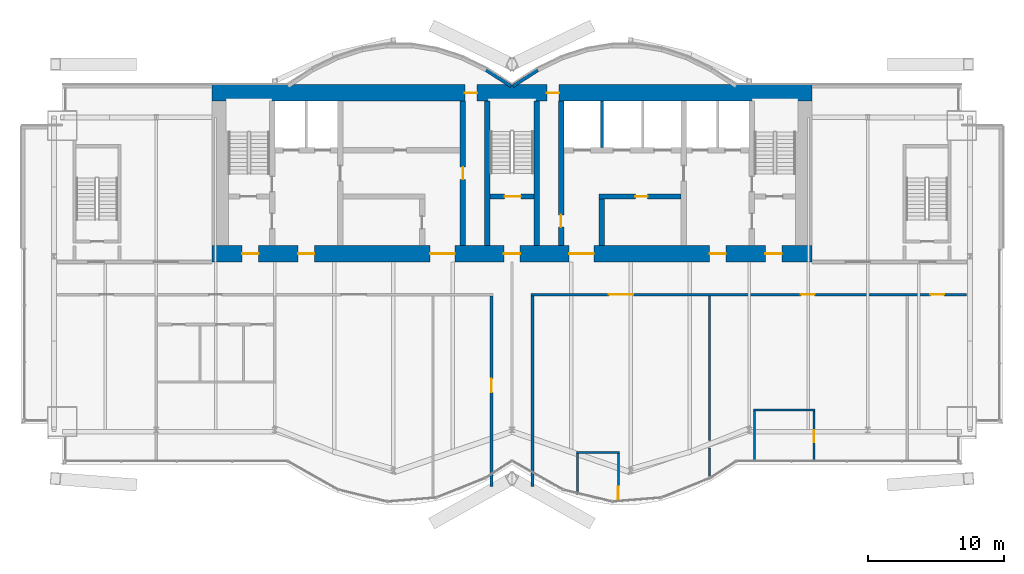
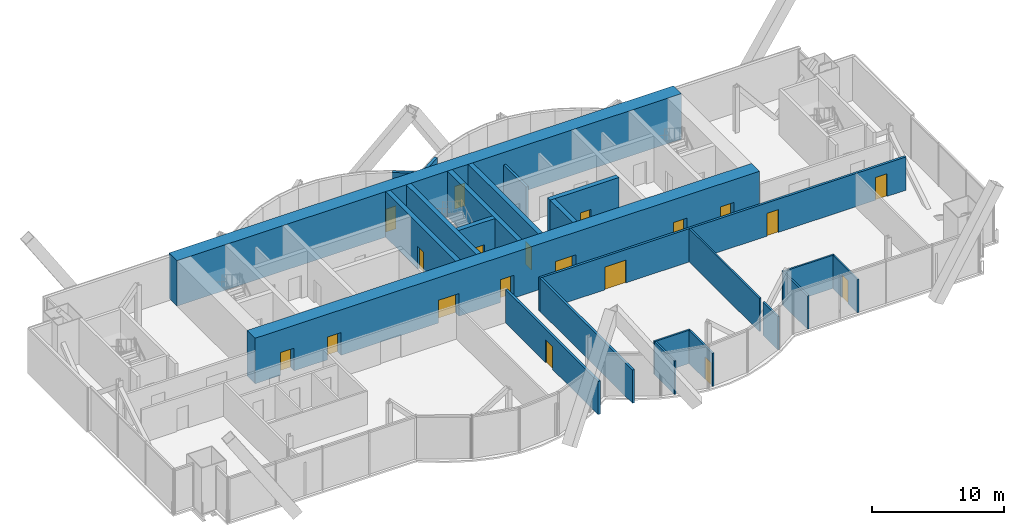
# One storey, part 14 of 19: 23 walls, 19 doors, 19 openings.
"""IFC4 building model written with IfcOpenShell, lengths in metres."""

import ifcopenshell
import ifcopenshell.guid

model = None  # the IFC model being written
_history = None  # IfcOwnerHistory: only IFC2X3 demands one
_inside = {}  # id of a spatial element -> (the spatial element, [elements in it])
_under = {}  # id of a project, library or spatial element -> (it, [spatial elements below it])
_declared = {}  # id of a project -> (the project, [libraries it declares])
_typed = {}  # id of a type object -> (the type object, [elements of that type])
_made_of = {}  # id of a material, layer set ... -> (it, [elements and type objects made of it])


def new_model(schema):
    """Start an empty IFC model of exactly this schema.

    Asked for "IFC4X3", IfcOpenShell would pick the latest addendum, in which some entities
    have other attributes; the version numbers below select the first issue.
    IFC2X3 requires an IfcOwnerHistory on every rooted entity: one is made here for all.
    """
    global model, _history
    if schema == "IFC4X3":
        model = ifcopenshell.file(schema_version=(4, 3, 0, 0))
    else:
        model = ifcopenshell.file(schema=schema)
    _inside.clear()
    _under.clear()
    _declared.clear()
    _typed.clear()
    _made_of.clear()
    _history = None
    if model.schema == "IFC2X3":
        org = make("IfcOrganization", Name="unknown")
        user = make(
            "IfcPersonAndOrganization",
            ThePerson=make("IfcPerson", FamilyName="unknown"),
            TheOrganization=org,
        )
        app = make(
            "IfcApplication",
            ApplicationDeveloper=org,
            Version="unknown",
            ApplicationFullName="unknown",
            ApplicationIdentifier="unknown",
        )
        _history = make(
            "IfcOwnerHistory",
            OwningUser=user,
            OwningApplication=app,
            ChangeAction="ADDED",
            CreationDate=0,
        )
    return model


def make(cls, **values):
    """One entity of the class cls with the attributes given. An attribute that is None is left unset."""
    return model.create_entity(
        cls, **{name: value for name, value in values.items() if value is not None}
    )


def rooted(cls, **values):
    """An entity with a GlobalId (a new one), such as an element, a storey or a relation."""
    return make(cls, GlobalId=ifcopenshell.guid.new(), OwnerHistory=_history, **values)


def si_unit(unit_type, name, prefix=None):
    """IfcSIUnit, for example si_unit("LENGTHUNIT", "METRE", prefix="MILLI")."""
    return make("IfcSIUnit", UnitType=unit_type, Prefix=prefix, Name=name)


def assignment(units):
    """IfcUnitAssignment: the units of a project."""
    return None if units is None else make("IfcUnitAssignment", Units=units)


def point(xyz):
    """IfcCartesianPoint."""
    return None if xyz is None else make("IfcCartesianPoint", Coordinates=xyz)


def direction(xyz):
    """IfcDirection."""
    return None if xyz is None else make("IfcDirection", DirectionRatios=xyz)


def frame(location, z_axis=None, x_axis=None):
    """IfcAxis2Placement3D, a coordinate frame: its origin and axes. An axis left out is left unset."""
    return make(
        "IfcAxis2Placement3D",
        Location=point(location),
        Axis=direction(z_axis),
        RefDirection=direction(x_axis),
    )


def frame_2d(location, x_axis=None):
    """IfcAxis2Placement2D, a coordinate frame in the plane: its origin and x axis."""
    return make(
        "IfcAxis2Placement2D", Location=point(location), RefDirection=direction(x_axis)
    )


def origin():
    """The frame at (0, 0, 0) with its axes left unset."""
    return frame((0.0, 0.0, 0.0))


def place(relative_to, where):
    """IfcLocalPlacement: puts the frame where relative to a parent placement (None: the world)."""
    return make(
        "IfcLocalPlacement", PlacementRelTo=relative_to, RelativePlacement=where
    )


def context(
    kind, dimensions, precision=None, world=None, true_north=None, identifier=None
):
    """IfcGeometricRepresentationContext, for example the 3D "Model" context."""
    return make(
        "IfcGeometricRepresentationContext",
        ContextIdentifier=identifier,
        ContextType=kind,
        CoordinateSpaceDimension=dimensions,
        Precision=precision,
        WorldCoordinateSystem=world,
        TrueNorth=true_north,
    )


def subcontext(parent, identifier, kind, view, scale=None):
    """IfcGeometricRepresentationSubContext, for example "Body" below "Model"."""
    return make(
        "IfcGeometricRepresentationSubContext",
        ContextIdentifier=identifier,
        ContextType=kind,
        ParentContext=parent,
        TargetScale=scale,
        TargetView=view,
    )


def project(units=None, contexts=None):
    """IfcProject with its units and contexts."""
    return rooted(
        "IfcProject",
        Name="project",
        RepresentationContexts=contexts,
        UnitsInContext=assignment(units),
    )


def spatial(cls, under=None, at=None, **own):
    """A site, building, storey or space (cls), placed at a placement, below another one or the project."""
    s = rooted(cls, ObjectPlacement=at, **own)
    if under is not None:
        _under.setdefault(under.id(), (under, []))[1].append(s)
    return s


def profile(cls, at=None, kind="AREA", **sizes):
    """A parametric profile (cls). Its sizes go by their IFC names, for example OverallWidth=200.0."""
    return make(cls, ProfileType=kind, Position=at, **sizes)


def rectangle(**sizes):
    """IfcRectangleProfileDef."""
    return profile("IfcRectangleProfileDef", **sizes)


def extrude(swept, where, along, depth):
    """IfcExtrudedAreaSolid: the profile swept, set in the frame where, extruded along a direction by depth."""
    return make(
        "IfcExtrudedAreaSolid",
        SweptArea=swept,
        Position=where,
        ExtrudedDirection=direction(along),
        Depth=depth,
    )


def shape(context_of_items, identifier, shape_type, items):
    """IfcShapeRepresentation: the items that make up one representation, for example the "Body"."""
    return make(
        "IfcShapeRepresentation",
        ContextOfItems=context_of_items,
        RepresentationIdentifier=identifier,
        RepresentationType=shape_type,
        Items=items,
    )


def material(Name=None, Category=None):
    """IfcMaterial."""
    return make("IfcMaterial", Name=Name, Category=Category)


def layer(
    of_material, thickness, ventilated=None, Name=None, Category=None, Priority=None
):
    """IfcMaterialLayer: one layer of a wall or slab, of a material (None: an air gap)."""
    return make(
        "IfcMaterialLayer",
        Material=of_material,
        LayerThickness=thickness,
        IsVentilated=ventilated,
        Name=Name,
        Category=Category,
        Priority=Priority,
    )


def layer_set(layers, Name=None):
    """IfcMaterialLayerSet."""
    return make("IfcMaterialLayerSet", MaterialLayers=layers, LayerSetName=Name)


def layer_usage(for_layer_set, set_direction, sense, offset, extent=None):
    """IfcMaterialLayerSetUsage: how a layer set lies in its element."""
    return make(
        "IfcMaterialLayerSetUsage",
        ForLayerSet=for_layer_set,
        LayerSetDirection=set_direction,
        DirectionSense=sense,
        OffsetFromReferenceLine=offset,
        ReferenceExtent=extent,
    )


def made_of(thing, what):
    """Note that an element or type object is made of a material, layer set ...; save() writes the relation."""
    if what is not None:
        _made_of.setdefault(what.id(), (what, []))[1].append(thing)
    return thing


def type_object(cls, material=None, **own):
    """A type object (cls), such as IfcWallType, which elements share."""
    return made_of(rooted(cls, **own), material)


def element(
    cls,
    number,
    at=None,
    inside=None,
    cuts=None,
    type_object=None,
    material=None,
    context=None,
    identifier="Body",
    shape_type=None,
    held_by="IfcProductDefinitionShape",
    body=None,
    shapes=None,
    **own,
):
    """One element of the class cls, such as IfcWall. Its Tag is "e" and its number.

    at: its placement. inside: the storey or other place that contains it. cuts: it is an
    opening in that element (IfcRelVoidsElement). A single representation is given by context,
    identifier, shape_type and body (its items); several are given by shapes. held_by: the class
    of the entity that holds the representations. save() writes the other relations.
    """
    e = rooted(cls, Tag="e%d" % number, ObjectPlacement=at, **own)
    if body is not None:
        shapes = [shape(context, identifier, shape_type, body)]
    if shapes is not None:
        e.Representation = make(held_by, Representations=shapes)
    if inside is not None:
        _inside.setdefault(inside.id(), (inside, []))[1].append(e)
    if cuts is not None:
        rooted(
            "IfcRelVoidsElement", RelatingBuildingElement=cuts, RelatedOpeningElement=e
        )
    if type_object is not None:
        _typed.setdefault(type_object.id(), (type_object, []))[1].append(e)
    return made_of(e, material)


def fill(opening, filler):
    """IfcRelFillsElement: the door or window that sits in an opening."""
    return rooted(
        "IfcRelFillsElement",
        RelatingOpeningElement=opening,
        RelatedBuildingElement=filler,
    )


def aggregate(whole, parts):
    """IfcRelAggregates: a whole, such as a stair, and the parts it consists of."""
    return rooted("IfcRelAggregates", RelatingObject=whole, RelatedObjects=parts)


def save(model, path):
    """Write the relations noted so far, then the file.

    IfcRelAggregates (storeys below a building ...), IfcRelContainedInSpatialStructure (elements
    in a storey), IfcRelDefinesByType, IfcRelAssociatesMaterial and IfcRelDeclares: one each for
    every whole, place, type object, material and project.
    """
    for whole, parts in _under.values():
        aggregate(whole, parts)
    for where, things in _inside.values():
        rooted(
            "IfcRelContainedInSpatialStructure",
            RelatedElements=things,
            RelatingStructure=where,
        )
    for kind, things in _typed.values():
        rooted("IfcRelDefinesByType", RelatedObjects=things, RelatingType=kind)
    for what, things in _made_of.values():
        rooted("IfcRelAssociatesMaterial", RelatedObjects=things, RelatingMaterial=what)
    for by, libraries in _declared.values():
        rooted("IfcRelDeclares", RelatingContext=by, RelatedDefinitions=libraries)
    model.write(path)


model = new_model("IFC4")

# Units and contexts
model_context = context("Model", 3, precision=1e-05, world=origin(), true_north=direction((0.0, 1.0)))
body_context = subcontext(model_context, "Body", "Model", "MODEL_VIEW")
ifc_project = project(units=[si_unit("LENGTHUNIT", "METRE"), si_unit("AREAUNIT", "SQUARE_METRE"), si_unit("VOLUMEUNIT", "CUBIC_METRE"), si_unit("PLANEANGLEUNIT", "RADIAN"), si_unit("MASSUNIT", "GRAM", prefix="KILO")], contexts=[model_context])

# Site, building, storey
site_placement = place(None, origin())
site = spatial("IfcSite", under=ifc_project, at=site_placement, CompositionType="ELEMENT")
building_placement = place(site_placement, origin())
building = spatial("IfcBuilding", under=site, at=building_placement, Name="Bicima Exchange Tower", CompositionType="ELEMENT")
storey_placement = place(building_placement, frame((0.0, 0.0, 283.39990234375)))
storey = spatial("IfcBuildingStorey", under=building, at=storey_placement, Name="L64", CompositionType="ELEMENT", Elevation=283.39990234375)

# Wall
ifc_material_1 = material(Name="Gypsum board partition")
ifc_layer_1 = layer(ifc_material_1, 0.199951171875)
ifc_layer_set_1 = layer_set([ifc_layer_1], Name="Gypsum board partition")
wall_type_1 = type_object("IfcWallType", Name="Fire-rated gypsum partition 200 EI120", PredefinedType="PARTITIONING", material=ifc_layer_set_1)
wall_1_placement = place(storey_placement, frame((6.60009765625, -4.60009765625, 0.0), z_axis=(0.0, 0.0, 1.0), x_axis=(0.0, 1.0, 0.0)))
element("IfcWall", 1, at=wall_1_placement, inside=storey, type_object=wall_type_1, Name="partition wall 17", PredefinedType="PARTITIONING", context=body_context, shape_type="SweptSolid", body=[
    extrude(rectangle(XDim=3.400146484375, YDim=0.199951171875, at=frame_2d((1.7001953125, 0.0))), origin(), (0.0, 0.0, 1.0), 3.068359375),
])

# Wall, openings, doors
ifc_layer_2 = layer(ifc_material_1, 0.199951171875)
ifc_layer_set_2 = layer_set([ifc_layer_2], Name="Gypsum board partition")
wall_type_2 = type_object("IfcWallType", Name="Fire-rated gypsum partition 200 EI60", PredefinedType="PARTITIONING", material=ifc_layer_set_2)
wall_2_placement = place(storey_placement, frame((1.39990234375, -15.39990234375, 0.0), z_axis=(0.0, 0.0, 1.0), x_axis=(1.0, 0.0, 0.0)))
wall_2 = element("IfcWall", 2, at=wall_2_placement, inside=storey, type_object=wall_type_2, Name="partition wall 6", PredefinedType="PARTITIONING", context=body_context, shape_type="SweptSolid", body=[
    extrude(rectangle(XDim=31.940185546875, YDim=0.199951171875, at=frame_2d((15.97021484375, 0.0))), origin(), (0.0, 0.0, 1.0), 3.068359375),
])
opening_1_placement = place(wall_2_placement, frame((5.699951171875, 0.0, 0.0)))
opening_1 = element("IfcOpeningElement", 3, at=opening_1_placement, cuts=wall_2, Name="Opening L64-014", PredefinedType="OPENING", context=body_context, shape_type="SweptSolid", body=[
    extrude(rectangle(XDim=1.800048828125, YDim=2.10009765625, at=frame_2d((0.89990234375, 1.050048828125))), frame((0.0, 0.11181640625, 0.0), z_axis=(0.0, -1.0, 0.0), x_axis=(1.0, 0.0, 0.0)), (0.0, 0.0, 1.0), 0.223876953125),
])
opening_2_placement = place(wall_2_placement, frame((19.800048828125, 0.0, 0.0)))
opening_2 = element("IfcOpeningElement", 4, at=opening_2_placement, cuts=wall_2, Name="Opening L64-015", PredefinedType="OPENING", context=body_context, shape_type="SweptSolid", body=[
    extrude(rectangle(XDim=1.0, YDim=2.10009765625, at=frame_2d((0.5, 1.050048828125))), frame((0.0, 0.11181640625, 0.0), z_axis=(0.0, -1.0, 0.0), x_axis=(1.0, 0.0, 0.0)), (0.0, 0.0, 1.0), 0.223876953125),
])
opening_3_placement = place(wall_2_placement, frame((29.300048828125, 0.0, 0.0)))
opening_3 = element("IfcOpeningElement", 5, at=opening_3_placement, cuts=wall_2, Name="Opening L64-016", PredefinedType="OPENING", context=body_context, shape_type="SweptSolid", body=[
    extrude(rectangle(XDim=1.0, YDim=2.10009765625, at=frame_2d((0.5, 1.050048828125))), frame((0.0, 0.11181640625, 0.0), z_axis=(0.0, -1.0, 0.0), x_axis=(1.0, 0.0, 0.0)), (0.0, 0.0, 1.0), 0.223876953125),
])
ifc_material_2 = material(Name="Steel fire door leaf", Category="steel")
door_type_1 = type_object("IfcDoorType", Name="Door 1000 swing FD30S", OperationType="SINGLE_SWING_LEFT", PredefinedType="DOOR", material=ifc_material_2)
door_1_placement = place(opening_2_placement, frame((1.0, 0.0, 0.0), z_axis=(0.0, 0.0, 1.0), x_axis=(-1.0, 0.0, 0.0)))
door_1 = element("IfcDoor", 6, at=door_1_placement, inside=storey, type_object=door_type_1, Name="Door", OperationType="SINGLE_SWING_RIGHT", OverallHeight=2.10009765625, OverallWidth=1.0, PredefinedType="DOOR", context=body_context, shape_type="SweptSolid", body=[
    extrude(rectangle(XDim=1.0, YDim=2.10009765625, at=frame_2d((0.5, 1.050048828125))), frame((0.0, 0.02490234375, 0.0), z_axis=(0.0, -1.0, 0.0), x_axis=(1.0, 0.0, 0.0)), (0.0, 0.0, 1.0), 0.050048828125),
])
fill(opening_2, door_1)
door_2_placement = place(opening_3_placement, frame((1.0, 0.0, 0.0), z_axis=(0.0, 0.0, 1.0), x_axis=(-1.0, 0.0, 0.0)))
door_2 = element("IfcDoor", 7, at=door_2_placement, inside=storey, type_object=door_type_1, Name="Door", OperationType="SINGLE_SWING_LEFT", OverallHeight=2.10009765625, OverallWidth=1.0, PredefinedType="DOOR", context=body_context, shape_type="SweptSolid", body=[
    extrude(rectangle(XDim=1.0, YDim=2.10009765625, at=frame_2d((0.5, 1.050048828125))), frame((0.0, 0.02490234375, 0.0), z_axis=(0.0, -1.0, 0.0), x_axis=(1.0, 0.0, 0.0)), (0.0, 0.0, 1.0), 0.050048828125),
])
fill(opening_3, door_2)
door_type_2 = type_object("IfcDoorType", Name="Door 1800 double swing FD30S", OperationType="DOUBLE_DOOR_SINGLE_SWING", PredefinedType="DOOR", material=ifc_material_2)
door_3_placement = place(opening_1_placement, origin())
door_3 = element("IfcDoor", 8, at=door_3_placement, inside=storey, type_object=door_type_2, Name="Door", OperationType="SINGLE_SWING_LEFT", OverallHeight=2.10009765625, OverallWidth=1.800048828125, PredefinedType="DOOR", context=body_context, shape_type="SweptSolid", body=[
    extrude(rectangle(XDim=1.800048828125, YDim=2.10009765625, at=frame_2d((0.89990234375, 1.050048828125))), frame((0.0, 0.02490234375, 0.0), z_axis=(0.0, -1.0, 0.0), x_axis=(1.0, 0.0, 0.0)), (0.0, 0.0, 1.0), 0.050048828125),
])
fill(opening_1, door_3)

# Wall, opening, door
wall_3_placement = place(storey_placement, frame((-1.5, -29.48486328125, 0.0), z_axis=(0.0, 0.0, 1.0), x_axis=(0.0, 1.0, 0.0)))
wall_3 = element("IfcWall", 9, at=wall_3_placement, inside=storey, type_object=wall_type_2, Name="partition wall 20", PredefinedType="PARTITIONING", context=body_context, shape_type="SweptSolid", body=[
    extrude(rectangle(XDim=13.98486328125, YDim=0.199951171875, at=frame_2d((6.992431640625, 0.0))), origin(), (0.0, 0.0, 1.0), 3.068359375),
])
opening_4_placement = place(wall_3_placement, frame((6.9150390625, 0.0, 0.0)))
opening_4 = element("IfcOpeningElement", 10, at=opening_4_placement, cuts=wall_3, Name="Opening L64-013", PredefinedType="OPENING", context=body_context, shape_type="SweptSolid", body=[
    extrude(rectangle(XDim=1.0, YDim=2.10009765625, at=frame_2d((0.5, 1.050048828125))), frame((0.0, 0.11181640625, 0.0), z_axis=(0.0, -1.0, 0.0), x_axis=(1.0, 0.0, 0.0)), (0.0, 0.0, 1.0), 0.223876953125),
])
door_4_placement = place(opening_4_placement, origin())
door_4 = element("IfcDoor", 11, at=door_4_placement, inside=storey, type_object=door_type_1, Name="Door", OperationType="SINGLE_SWING_LEFT", OverallHeight=2.10009765625, OverallWidth=1.0, PredefinedType="DOOR", context=body_context, shape_type="SweptSolid", body=[
    extrude(rectangle(XDim=1.0, YDim=2.10009765625, at=frame_2d((0.5, 1.050048828125))), frame((0.0, 0.02490234375, 0.0), z_axis=(0.0, -1.0, 0.0), x_axis=(1.0, 0.0, 0.0)), (0.0, 0.0, 1.0), 0.050048828125),
])
fill(opening_4, door_4)

# Walls
wall_4_placement = place(storey_placement, frame((1.5, -29.48486328125, 0.0), z_axis=(0.0, 0.0, 1.0), x_axis=(0.0, 1.0, 0.0)))
element("IfcWall", 12, at=wall_4_placement, inside=storey, type_object=wall_type_2, Name="partition wall 21", PredefinedType="PARTITIONING", context=body_context, shape_type="SweptSolid", body=[
    extrude(rectangle(XDim=13.98486328125, YDim=0.199951171875, at=frame_2d((6.992431640625, 0.0))), origin(), (0.0, 0.0, 1.0), 3.068359375),
])
ifc_layer_3 = layer(ifc_material_1, 0.14990234375)
ifc_layer_set_3 = layer_set([ifc_layer_3], Name="Gypsum board partition")
wall_type_3 = type_object("IfcWallType", Name="Gypsum partition 150", PredefinedType="PARTITIONING", material=ifc_layer_set_3)
wall_5_placement = place(storey_placement, frame((4.72509765625, -27.0, 0.0), z_axis=(0.0, 0.0, 1.0), x_axis=(1.0, 0.0, 0.0)))
element("IfcWall", 13, at=wall_5_placement, inside=storey, type_object=wall_type_3, Name="partition wall 1", PredefinedType="PARTITIONING", context=body_context, shape_type="SweptSolid", body=[
    extrude(rectangle(XDim=3.14990234375, YDim=0.14990234375, at=frame_2d((1.574951171875, 0.0))), origin(), (0.0, 0.0, 1.0), 3.068359375),
])
wall_6_placement = place(storey_placement, frame((17.72509765625, -23.8798828125, 0.0), z_axis=(0.0, 0.0, 1.0), x_axis=(1.0, 0.0, 0.0)))
element("IfcWall", 14, at=wall_6_placement, inside=storey, type_object=wall_type_3, Name="partition wall 2", PredefinedType="PARTITIONING", context=body_context, shape_type="SweptSolid", body=[
    extrude(rectangle(XDim=4.5, YDim=0.14990234375, at=frame_2d((2.25, 0.0))), origin(), (0.0, 0.0, 1.0), 3.068359375),
])
wall_7_placement = place(storey_placement, frame((4.800048828125, -30.070068359375, 0.0), z_axis=(0.0, 0.0, 1.0), x_axis=(0.0, 1.0, 0.0)))
element("IfcWall", 15, at=wall_7_placement, inside=storey, type_object=wall_type_3, Name="partition wall 22", PredefinedType="PARTITIONING", context=body_context, shape_type="SweptSolid", body=[
    extrude(rectangle(XDim=2.9951171875, YDim=0.14990234375, at=frame_2d((1.49755859375, 0.0))), origin(), (0.0, 0.0, 1.0), 3.068359375),
])

# Wall, opening, door
wall_8_placement = place(storey_placement, frame((7.800048828125, -30.60009765625, 0.0), z_axis=(0.0, 0.0, 1.0), x_axis=(0.0, 1.0, 0.0)))
wall_8 = element("IfcWall", 16, at=wall_8_placement, inside=storey, type_object=wall_type_3, Name="partition wall 23", PredefinedType="PARTITIONING", context=body_context, shape_type="SweptSolid", body=[
    extrude(rectangle(XDim=3.525146484375, YDim=0.14990234375, at=frame_2d((1.7626953125, 0.0))), origin(), (0.0, 0.0, 1.0), 3.068359375),
])
opening_5_placement = place(wall_8_placement, frame((0.199951171875, 0.0, 0.0)))
opening_5 = element("IfcOpeningElement", 17, at=opening_5_placement, cuts=wall_8, Name="Opening L64-017", PredefinedType="OPENING", context=body_context, shape_type="SweptSolid", body=[
    extrude(rectangle(XDim=0.89990234375, YDim=2.10009765625, at=frame_2d((0.449951171875, 1.050048828125))), frame((0.0, 0.0869140625, 0.0), z_axis=(0.0, -1.0, 0.0), x_axis=(1.0, 0.0, 0.0)), (0.0, 0.0, 1.0), 0.173828125),
])
ifc_material_3 = material(Name="Timber door leaf", Category="wood")
door_type_3 = type_object("IfcDoorType", Name="Door 900 swing", OperationType="SINGLE_SWING_LEFT", PredefinedType="DOOR", material=ifc_material_3)
door_5_placement = place(opening_5_placement, origin())
door_5 = element("IfcDoor", 18, at=door_5_placement, inside=storey, type_object=door_type_3, Name="Door", OperationType="SINGLE_SWING_LEFT", OverallHeight=2.10009765625, OverallWidth=0.89990234375, PredefinedType="DOOR", context=body_context, shape_type="SweptSolid", body=[
    extrude(rectangle(XDim=0.89990234375, YDim=2.10009765625, at=frame_2d((0.449951171875, 1.050048828125))), frame((0.0, 0.02490234375, 0.0), z_axis=(0.0, -1.0, 0.0), x_axis=(1.0, 0.0, 0.0)), (0.0, 0.0, 1.0), 0.050048828125),
])
fill(opening_5, door_5)

# Walls
wall_9_placement = place(storey_placement, frame((14.5, -28.8798828125, 0.0), z_axis=(0.0, 0.0, 1.0), x_axis=(0.0, 1.0, 0.0)))
element("IfcWall", 19, at=wall_9_placement, inside=storey, type_object=wall_type_3, Name="partition wall 24", PredefinedType="PARTITIONING", context=body_context, shape_type="SweptSolid", body=[
    extrude(rectangle(XDim=2.239990234375, YDim=0.14990234375, at=frame_2d((1.1201171875, 0.0))), origin(), (0.0, 0.0, 1.0), 3.068359375),
])
wall_10_placement = place(storey_placement, frame((14.5, -26.090087890625, 0.0), z_axis=(0.0, 0.0, 1.0), x_axis=(0.0, 1.0, 0.0)))
element("IfcWall", 20, at=wall_10_placement, inside=storey, type_object=wall_type_3, Name="partition wall 25", PredefinedType="PARTITIONING", context=body_context, shape_type="SweptSolid", body=[
    extrude(rectangle(XDim=10.590087890625, YDim=0.14990234375, at=frame_2d((5.294921875, 0.0))), origin(), (0.0, 0.0, 1.0), 3.068359375),
])
wall_11_placement = place(storey_placement, frame((17.800048828125, -27.639892578125, 0.0), z_axis=(0.0, 0.0, 1.0), x_axis=(0.0, 1.0, 0.0)))
element("IfcWall", 21, at=wall_11_placement, inside=storey, type_object=wall_type_3, Name="partition wall 26", PredefinedType="PARTITIONING", context=body_context, shape_type="SweptSolid", body=[
    extrude(rectangle(XDim=3.684814453125, YDim=0.14990234375, at=frame_2d((1.84228515625, 0.0))), origin(), (0.0, 0.0, 1.0), 3.068359375),
])

# Wall, opening, door
wall_12_placement = place(storey_placement, frame((22.14990234375, -27.639892578125, 0.0), z_axis=(0.0, 0.0, 1.0), x_axis=(0.0, 1.0, 0.0)))
wall_12 = element("IfcWall", 22, at=wall_12_placement, inside=storey, type_object=wall_type_3, Name="partition wall 27", PredefinedType="PARTITIONING", context=body_context, shape_type="SweptSolid", body=[
    extrude(rectangle(XDim=3.684814453125, YDim=0.14990234375, at=frame_2d((1.84228515625, 0.0))), origin(), (0.0, 0.0, 1.0), 3.068359375),
])
opening_6_placement = place(wall_12_placement, frame((1.39990234375, 0.0, 0.0)))
opening_6 = element("IfcOpeningElement", 23, at=opening_6_placement, cuts=wall_12, Name="Opening L64-018", PredefinedType="OPENING", context=body_context, shape_type="SweptSolid", body=[
    extrude(rectangle(XDim=0.89990234375, YDim=2.10009765625, at=frame_2d((0.449951171875, 1.050048828125))), frame((0.0, 0.0869140625, 0.0), z_axis=(0.0, -1.0, 0.0), x_axis=(1.0, 0.0, 0.0)), (0.0, 0.0, 1.0), 0.173828125),
])
door_6_placement = place(opening_6_placement, origin())
door_6 = element("IfcDoor", 24, at=door_6_placement, inside=storey, type_object=door_type_3, Name="Door", OperationType="SINGLE_SWING_RIGHT", OverallHeight=2.10009765625, OverallWidth=0.89990234375, PredefinedType="DOOR", context=body_context, shape_type="SweptSolid", body=[
    extrude(rectangle(XDim=0.89990234375, YDim=2.10009765625, at=frame_2d((0.449951171875, 1.050048828125))), frame((0.0, 0.02490234375, 0.0), z_axis=(0.0, -1.0, 0.0), x_axis=(1.0, 0.0, 0.0)), (0.0, 0.0, 1.0), 0.050048828125),
])
fill(opening_6, door_6)

# Wall, openings, doors
ifc_material_4 = material(Name="Concrete C40/50", Category="concrete")
ifc_layer_4 = layer(ifc_material_4, 1.199951171875)
ifc_layer_set_4 = layer_set([ifc_layer_4], Name="Concrete C40/50")
wall_type_4 = type_object("IfcWallType", Name="RC core wall 1200 C40/50", PredefinedType="SHEAR", material=ifc_layer_set_4)
wall_13_placement = place(storey_placement, frame((-22.0, -0.60009765625, 0.0), z_axis=(0.0, 0.0, 1.0), x_axis=(1.0, 0.0, 0.0)))
wall_13 = element("IfcWall", 25, at=wall_13_placement, inside=storey, type_object=wall_type_4, Name="Core wall north", PredefinedType="SHEAR", context=body_context, shape_type="SweptSolid", body=[
    extrude(rectangle(XDim=44.0, YDim=1.199951171875, at=frame_2d((22.0, 0.0))), origin(), (0.0, 0.0, 1.0), 4.2001953125),
])
opening_7_placement = place(wall_13_placement, frame((18.550048828125, 0.0, 0.0)))
opening_7 = element("IfcOpeningElement", 26, at=opening_7_placement, cuts=wall_13, Name="Opening L64-C15", PredefinedType="OPENING", context=body_context, shape_type="SweptSolid", body=[
    extrude(rectangle(XDim=0.89990234375, YDim=2.10009765625, at=frame_2d((0.449951171875, 1.050048828125))), frame((0.0, 0.61181640625, 0.0), z_axis=(0.0, -1.0, 0.0), x_axis=(1.0, 0.0, 0.0)), (0.0, 0.0, 1.0), 1.223876953125),
])
opening_8_placement = place(wall_13_placement, frame((24.550048828125, 0.0, 0.0)))
opening_8 = element("IfcOpeningElement", 27, at=opening_8_placement, cuts=wall_13, Name="Opening L64-C16", PredefinedType="OPENING", context=body_context, shape_type="SweptSolid", body=[
    extrude(rectangle(XDim=0.89990234375, YDim=2.10009765625, at=frame_2d((0.449951171875, 1.050048828125))), frame((0.0, 0.61181640625, 0.0), z_axis=(0.0, -1.0, 0.0), x_axis=(1.0, 0.0, 0.0)), (0.0, 0.0, 1.0), 1.223876953125),
])
door_type_4 = type_object("IfcDoorType", Name="Door 900 swing FD30S", OperationType="SINGLE_SWING_LEFT", PredefinedType="DOOR", material=ifc_material_2)
door_7_placement = place(opening_7_placement, origin())
door_7 = element("IfcDoor", 28, at=door_7_placement, inside=storey, type_object=door_type_4, Name="Core door", OperationType="SINGLE_SWING_LEFT", OverallHeight=2.10009765625, OverallWidth=0.89990234375, PredefinedType="DOOR", context=body_context, shape_type="SweptSolid", body=[
    extrude(rectangle(XDim=0.89990234375, YDim=2.10009765625, at=frame_2d((0.449951171875, 1.050048828125))), frame((0.0, 0.02490234375, 0.0), z_axis=(0.0, -1.0, 0.0), x_axis=(1.0, 0.0, 0.0)), (0.0, 0.0, 1.0), 0.050048828125),
])
fill(opening_7, door_7)
door_8_placement = place(opening_8_placement, origin())
door_8 = element("IfcDoor", 29, at=door_8_placement, inside=storey, type_object=door_type_4, Name="Core door", OperationType="SINGLE_SWING_LEFT", OverallHeight=2.10009765625, OverallWidth=0.89990234375, PredefinedType="DOOR", context=body_context, shape_type="SweptSolid", body=[
    extrude(rectangle(XDim=0.89990234375, YDim=2.10009765625, at=frame_2d((0.449951171875, 1.050048828125))), frame((0.0, 0.02490234375, 0.0), z_axis=(0.0, -1.0, 0.0), x_axis=(1.0, 0.0, 0.0)), (0.0, 0.0, 1.0), 0.050048828125),
])
fill(opening_8, door_8)

wall_14_placement = place(storey_placement, frame((-22.0, -12.39990234375, 0.0), z_axis=(0.0, 0.0, 1.0), x_axis=(1.0, 0.0, 0.0)))
wall_14 = element("IfcWall", 30, at=wall_14_placement, inside=storey, type_object=wall_type_4, Name="Core wall south", PredefinedType="SHEAR", context=body_context, shape_type="SweptSolid", body=[
    extrude(rectangle(XDim=44.0, YDim=1.199951171875, at=frame_2d((22.0, 0.0))), origin(), (0.0, 0.0, 1.0), 4.2001953125),
])
opening_9_placement = place(wall_14_placement, frame((2.199951171875, 0.0, 0.0)))
opening_9 = element("IfcOpeningElement", 31, at=opening_9_placement, cuts=wall_14, Name="Opening L64-C17", PredefinedType="OPENING", context=body_context, shape_type="SweptSolid", body=[
    extrude(rectangle(XDim=1.199951171875, YDim=2.10009765625, at=frame_2d((0.60009765625, 1.050048828125))), frame((0.0, 0.61181640625, 0.0), z_axis=(0.0, -1.0, 0.0), x_axis=(1.0, 0.0, 0.0)), (0.0, 0.0, 1.0), 1.223876953125),
])
opening_10_placement = place(wall_14_placement, frame((21.39990234375, 0.0, 0.0)))
opening_10 = element("IfcOpeningElement", 32, at=opening_10_placement, cuts=wall_14, Name="Opening L64-C18", PredefinedType="OPENING", context=body_context, shape_type="SweptSolid", body=[
    extrude(rectangle(XDim=1.199951171875, YDim=2.10009765625, at=frame_2d((0.60009765625, 1.050048828125))), frame((0.0, 0.61181640625, 0.0), z_axis=(0.0, -1.0, 0.0), x_axis=(1.0, 0.0, 0.0)), (0.0, 0.0, 1.0), 1.223876953125),
])
opening_11_placement = place(wall_14_placement, frame((40.60009765625, 0.0, 0.0)))
opening_11 = element("IfcOpeningElement", 33, at=opening_11_placement, cuts=wall_14, Name="Opening L64-C19", PredefinedType="OPENING", context=body_context, shape_type="SweptSolid", body=[
    extrude(rectangle(XDim=1.199951171875, YDim=2.10009765625, at=frame_2d((0.60009765625, 1.050048828125))), frame((0.0, 0.61181640625, 0.0), z_axis=(0.0, -1.0, 0.0), x_axis=(1.0, 0.0, 0.0)), (0.0, 0.0, 1.0), 1.223876953125),
])
opening_12_placement = place(wall_14_placement, frame((16.0, 0.0, 0.0)))
opening_12 = element("IfcOpeningElement", 34, at=opening_12_placement, cuts=wall_14, Name="Opening L64-C20", PredefinedType="OPENING", context=body_context, shape_type="SweptSolid", body=[
    extrude(rectangle(XDim=1.800048828125, YDim=2.10009765625, at=frame_2d((0.89990234375, 1.050048828125))), frame((0.0, 0.61181640625, 0.0), z_axis=(0.0, -1.0, 0.0), x_axis=(1.0, 0.0, 0.0)), (0.0, 0.0, 1.0), 1.223876953125),
])
opening_13_placement = place(wall_14_placement, frame((6.300048828125, 0.0, 0.0)))
opening_13 = element("IfcOpeningElement", 35, at=opening_13_placement, cuts=wall_14, Name="Opening L64-C21", PredefinedType="OPENING", context=body_context, shape_type="SweptSolid", body=[
    extrude(rectangle(XDim=1.199951171875, YDim=2.10009765625, at=frame_2d((0.60009765625, 1.050048828125))), frame((0.0, 0.61181640625, 0.0), z_axis=(0.0, -1.0, 0.0), x_axis=(1.0, 0.0, 0.0)), (0.0, 0.0, 1.0), 1.223876953125),
])
opening_14_placement = place(wall_14_placement, frame((26.199951171875, 0.0, 0.0)))
opening_14 = element("IfcOpeningElement", 36, at=opening_14_placement, cuts=wall_14, Name="Opening L64-C22", PredefinedType="OPENING", context=body_context, shape_type="SweptSolid", body=[
    extrude(rectangle(XDim=1.800048828125, YDim=2.10009765625, at=frame_2d((0.89990234375, 1.050048828125))), frame((0.0, 0.61181640625, 0.0), z_axis=(0.0, -1.0, 0.0), x_axis=(1.0, 0.0, 0.0)), (0.0, 0.0, 1.0), 1.223876953125),
])
opening_15_placement = place(wall_14_placement, frame((36.5, 0.0, 0.0)))
opening_15 = element("IfcOpeningElement", 37, at=opening_15_placement, cuts=wall_14, Name="Opening L64-C23", PredefinedType="OPENING", context=body_context, shape_type="SweptSolid", body=[
    extrude(rectangle(XDim=1.199951171875, YDim=2.10009765625, at=frame_2d((0.60009765625, 1.050048828125))), frame((0.0, 0.61181640625, 0.0), z_axis=(0.0, -1.0, 0.0), x_axis=(1.0, 0.0, 0.0)), (0.0, 0.0, 1.0), 1.223876953125),
])
door_type_5 = type_object("IfcDoorType", Name="Door 1200 swing FD60S", OperationType="SINGLE_SWING_LEFT", PredefinedType="DOOR", material=ifc_material_2)
door_9_placement = place(opening_9_placement, frame((1.199951171875, 0.0, 0.0), z_axis=(0.0, 0.0, 1.0), x_axis=(-1.0, 0.0, 0.0)))
door_9 = element("IfcDoor", 38, at=door_9_placement, inside=storey, type_object=door_type_5, Name="Core door", OperationType="SINGLE_SWING_RIGHT", OverallHeight=2.10009765625, OverallWidth=1.199951171875, PredefinedType="DOOR", context=body_context, shape_type="SweptSolid", body=[
    extrude(rectangle(XDim=1.199951171875, YDim=2.10009765625, at=frame_2d((0.60009765625, 1.050048828125))), frame((0.0, 0.02490234375, 0.0), z_axis=(0.0, -1.0, 0.0), x_axis=(1.0, 0.0, 0.0)), (0.0, 0.0, 1.0), 0.050048828125),
])
fill(opening_9, door_9)
door_10_placement = place(opening_10_placement, frame((1.199951171875, 0.0, 0.0), z_axis=(0.0, 0.0, 1.0), x_axis=(-1.0, 0.0, 0.0)))
door_10 = element("IfcDoor", 39, at=door_10_placement, inside=storey, type_object=door_type_5, Name="Core door", OperationType="SINGLE_SWING_RIGHT", OverallHeight=2.10009765625, OverallWidth=1.199951171875, PredefinedType="DOOR", context=body_context, shape_type="SweptSolid", body=[
    extrude(rectangle(XDim=1.199951171875, YDim=2.10009765625, at=frame_2d((0.60009765625, 1.050048828125))), frame((0.0, 0.02490234375, 0.0), z_axis=(0.0, -1.0, 0.0), x_axis=(1.0, 0.0, 0.0)), (0.0, 0.0, 1.0), 0.050048828125),
])
fill(opening_10, door_10)
door_11_placement = place(opening_11_placement, frame((1.199951171875, 0.0, 0.0), z_axis=(0.0, 0.0, 1.0), x_axis=(-1.0, 0.0, 0.0)))
door_11 = element("IfcDoor", 40, at=door_11_placement, inside=storey, type_object=door_type_5, Name="Core door", OperationType="SINGLE_SWING_RIGHT", OverallHeight=2.10009765625, OverallWidth=1.199951171875, PredefinedType="DOOR", context=body_context, shape_type="SweptSolid", body=[
    extrude(rectangle(XDim=1.199951171875, YDim=2.10009765625, at=frame_2d((0.60009765625, 1.050048828125))), frame((0.0, 0.02490234375, 0.0), z_axis=(0.0, -1.0, 0.0), x_axis=(1.0, 0.0, 0.0)), (0.0, 0.0, 1.0), 0.050048828125),
])
fill(opening_11, door_11)
door_12_placement = place(opening_13_placement, frame((1.199951171875, 0.0, 0.0), z_axis=(0.0, 0.0, 1.0), x_axis=(-1.0, 0.0, 0.0)))
door_12 = element("IfcDoor", 41, at=door_12_placement, inside=storey, type_object=door_type_5, Name="Core door", OperationType="SINGLE_SWING_RIGHT", OverallHeight=2.10009765625, OverallWidth=1.199951171875, PredefinedType="DOOR", context=body_context, shape_type="SweptSolid", body=[
    extrude(rectangle(XDim=1.199951171875, YDim=2.10009765625, at=frame_2d((0.60009765625, 1.050048828125))), frame((0.0, 0.02490234375, 0.0), z_axis=(0.0, -1.0, 0.0), x_axis=(1.0, 0.0, 0.0)), (0.0, 0.0, 1.0), 0.050048828125),
])
fill(opening_13, door_12)
door_13_placement = place(opening_15_placement, frame((1.199951171875, 0.0, 0.0), z_axis=(0.0, 0.0, 1.0), x_axis=(-1.0, 0.0, 0.0)))
door_13 = element("IfcDoor", 42, at=door_13_placement, inside=storey, type_object=door_type_5, Name="Core door", OperationType="SINGLE_SWING_RIGHT", OverallHeight=2.10009765625, OverallWidth=1.199951171875, PredefinedType="DOOR", context=body_context, shape_type="SweptSolid", body=[
    extrude(rectangle(XDim=1.199951171875, YDim=2.10009765625, at=frame_2d((0.60009765625, 1.050048828125))), frame((0.0, 0.02490234375, 0.0), z_axis=(0.0, -1.0, 0.0), x_axis=(1.0, 0.0, 0.0)), (0.0, 0.0, 1.0), 0.050048828125),
])
fill(opening_15, door_13)
door_14_placement = place(opening_12_placement, origin())
door_14 = element("IfcDoor", 43, at=door_14_placement, inside=storey, type_object=door_type_2, Name="Core door", OperationType="SINGLE_SWING_LEFT", OverallHeight=2.10009765625, OverallWidth=1.800048828125, PredefinedType="DOOR", context=body_context, shape_type="SweptSolid", body=[
    extrude(rectangle(XDim=1.800048828125, YDim=2.10009765625, at=frame_2d((0.89990234375, 1.050048828125))), frame((0.0, 0.02490234375, 0.0), z_axis=(0.0, -1.0, 0.0), x_axis=(1.0, 0.0, 0.0)), (0.0, 0.0, 1.0), 0.050048828125),
])
fill(opening_12, door_14)
door_15_placement = place(opening_14_placement, origin())
door_15 = element("IfcDoor", 44, at=door_15_placement, inside=storey, type_object=door_type_2, Name="Core door", OperationType="SINGLE_SWING_LEFT", OverallHeight=2.10009765625, OverallWidth=1.800048828125, PredefinedType="DOOR", context=body_context, shape_type="SweptSolid", body=[
    extrude(rectangle(XDim=1.800048828125, YDim=2.10009765625, at=frame_2d((0.89990234375, 1.050048828125))), frame((0.0, 0.02490234375, 0.0), z_axis=(0.0, -1.0, 0.0), x_axis=(1.0, 0.0, 0.0)), (0.0, 0.0, 1.0), 0.050048828125),
])
fill(opening_14, door_15)

# Wall, opening, door
ifc_layer_5 = layer(ifc_material_4, 0.39990234375)
ifc_layer_set_5 = layer_set([ifc_layer_5], Name="Concrete C40/50")
wall_type_5 = type_object("IfcWallType", Name="RC core wall 400 C40/50", PredefinedType="SHEAR", material=ifc_layer_set_5)
wall_15_placement = place(storey_placement, frame((6.39990234375, -8.199951171875, 0.0), z_axis=(0.0, 0.0, 1.0), x_axis=(1.0, 0.0, 0.0)))
wall_15 = element("IfcWall", 45, at=wall_15_placement, inside=storey, type_object=wall_type_5, Name="shear wall 4", PredefinedType="SHEAR", context=body_context, shape_type="SweptSolid", body=[
    extrude(rectangle(XDim=6.0, YDim=0.39990234375, at=frame_2d((3.0, 0.0))), origin(), (0.0, 0.0, 1.0), 4.2001953125),
])
opening_16_placement = place(wall_15_placement, frame((2.64990234375, 0.0, 0.0)))
opening_16 = element("IfcOpeningElement", 46, at=opening_16_placement, cuts=wall_15, Name="Opening L64-C14", PredefinedType="OPENING", context=body_context, shape_type="SweptSolid", body=[
    extrude(rectangle(XDim=0.89990234375, YDim=2.10009765625, at=frame_2d((0.449951171875, 1.050048828125))), frame((0.0, 0.2119140625, 0.0), z_axis=(0.0, -1.0, 0.0), x_axis=(1.0, 0.0, 0.0)), (0.0, 0.0, 1.0), 0.423828125),
])
door_16_placement = place(opening_16_placement, frame((0.89990234375, 0.0, 0.0), z_axis=(0.0, 0.0, 1.0), x_axis=(-1.0, 0.0, 0.0)))
door_16 = element("IfcDoor", 47, at=door_16_placement, inside=storey, type_object=door_type_4, Name="Core door", OperationType="SINGLE_SWING_LEFT", OverallHeight=2.10009765625, OverallWidth=0.89990234375, PredefinedType="DOOR", context=body_context, shape_type="SweptSolid", body=[
    extrude(rectangle(XDim=0.89990234375, YDim=2.10009765625, at=frame_2d((0.449951171875, 1.050048828125))), frame((0.0, 0.02490234375, 0.0), z_axis=(0.0, -1.0, 0.0), x_axis=(1.0, 0.0, 0.0)), (0.0, 0.0, 1.0), 0.050048828125),
])
fill(opening_16, door_16)

wall_16_placement = place(storey_placement, frame((-3.60009765625, -11.800048828125, 0.0), z_axis=(0.0, 0.0, 1.0), x_axis=(0.0, 1.0, 0.0)))
wall_16 = element("IfcWall", 48, at=wall_16_placement, inside=storey, type_object=wall_type_5, Name="shear wall 12", PredefinedType="SHEAR", context=body_context, shape_type="SweptSolid", body=[
    extrude(rectangle(XDim=10.60009765625, YDim=0.39990234375, at=frame_2d((5.300048828125, 0.0))), origin(), (0.0, 0.0, 1.0), 4.2001953125),
])
opening_17_placement = place(wall_16_placement, frame((4.85009765625, 0.0, 0.0)))
opening_17 = element("IfcOpeningElement", 49, at=opening_17_placement, cuts=wall_16, Name="Opening L64-C10", PredefinedType="OPENING", context=body_context, shape_type="SweptSolid", body=[
    extrude(rectangle(XDim=0.89990234375, YDim=2.10009765625, at=frame_2d((0.449951171875, 1.050048828125))), frame((0.0, 0.2119140625, 0.0), z_axis=(0.0, -1.0, 0.0), x_axis=(1.0, 0.0, 0.0)), (0.0, 0.0, 1.0), 0.423828125),
])
door_17_placement = place(opening_17_placement, frame((0.89990234375, 0.0, 0.0), z_axis=(0.0, 0.0, 1.0), x_axis=(-1.0, 0.0, 0.0)))
door_17 = element("IfcDoor", 50, at=door_17_placement, inside=storey, type_object=door_type_4, Name="Core door", OperationType="SINGLE_SWING_LEFT", OverallHeight=2.10009765625, OverallWidth=0.89990234375, PredefinedType="DOOR", context=body_context, shape_type="SweptSolid", body=[
    extrude(rectangle(XDim=0.89990234375, YDim=2.10009765625, at=frame_2d((0.449951171875, 1.050048828125))), frame((0.0, 0.02490234375, 0.0), z_axis=(0.0, -1.0, 0.0), x_axis=(1.0, 0.0, 0.0)), (0.0, 0.0, 1.0), 0.050048828125),
])
fill(opening_17, door_17)

wall_17_placement = place(storey_placement, frame((3.60009765625, -11.800048828125, 0.0), z_axis=(0.0, 0.0, 1.0), x_axis=(0.0, 1.0, 0.0)))
wall_17 = element("IfcWall", 51, at=wall_17_placement, inside=storey, type_object=wall_type_5, Name="shear wall 15", PredefinedType="SHEAR", context=body_context, shape_type="SweptSolid", body=[
    extrude(rectangle(XDim=10.60009765625, YDim=0.39990234375, at=frame_2d((5.300048828125, 0.0))), origin(), (0.0, 0.0, 1.0), 4.2001953125),
])
opening_18_placement = place(wall_17_placement, frame((1.35009765625, 0.0, 0.0)))
opening_18 = element("IfcOpeningElement", 52, at=opening_18_placement, cuts=wall_17, Name="Opening L64-C11", PredefinedType="OPENING", context=body_context, shape_type="SweptSolid", body=[
    extrude(rectangle(XDim=0.89990234375, YDim=2.10009765625, at=frame_2d((0.449951171875, 1.050048828125))), frame((0.0, 0.2119140625, 0.0), z_axis=(0.0, -1.0, 0.0), x_axis=(1.0, 0.0, 0.0)), (0.0, 0.0, 1.0), 0.423828125),
])
door_18_placement = place(opening_18_placement, origin())
door_18 = element("IfcDoor", 53, at=door_18_placement, inside=storey, type_object=door_type_4, Name="Core door", OperationType="SINGLE_SWING_LEFT", OverallHeight=2.10009765625, OverallWidth=0.89990234375, PredefinedType="DOOR", context=body_context, shape_type="SweptSolid", body=[
    extrude(rectangle(XDim=0.89990234375, YDim=2.10009765625, at=frame_2d((0.449951171875, 1.050048828125))), frame((0.0, 0.02490234375, 0.0), z_axis=(0.0, -1.0, 0.0), x_axis=(1.0, 0.0, 0.0)), (0.0, 0.0, 1.0), 0.050048828125),
])
fill(opening_18, door_18)

# Wall
wall_18_placement = place(storey_placement, frame((6.60009765625, -11.800048828125, 0.0), z_axis=(0.0, 0.0, 1.0), x_axis=(0.0, 1.0, 0.0)))
element("IfcWall", 54, at=wall_18_placement, inside=storey, type_object=wall_type_5, Name="shear wall 16", PredefinedType="SHEAR", context=body_context, shape_type="SweptSolid", body=[
    extrude(rectangle(XDim=3.400146484375, YDim=0.39990234375, at=frame_2d((1.7001953125, 0.0))), origin(), (0.0, 0.0, 1.0), 4.2001953125),
])

# Wall, opening, door
ifc_material_5 = material(Name="Concrete C50/60", Category="concrete")
ifc_layer_6 = layer(ifc_material_5, 0.39990234375)
ifc_layer_set_6 = layer_set([ifc_layer_6], Name="Concrete C50/60")
wall_type_6 = type_object("IfcWallType", Name="RC core wall 400 C50/60", PredefinedType="SHEAR", material=ifc_layer_set_6)
wall_19_placement = place(storey_placement, frame((-1.60009765625, -8.199951171875, 0.0), z_axis=(0.0, 0.0, 1.0), x_axis=(1.0, 0.0, 0.0)))
wall_19 = element("IfcWall", 55, at=wall_19_placement, inside=storey, type_object=wall_type_6, Name="stair wall 3", PredefinedType="SHEAR", context=body_context, shape_type="SweptSolid", body=[
    extrude(rectangle(XDim=3.2001953125, YDim=0.39990234375, at=frame_2d((1.60009765625, 0.0))), origin(), (0.0, 0.0, 1.0), 4.2001953125),
])
opening_19_placement = place(wall_19_placement, frame((1.050048828125, 0.0, 0.0)))
opening_19 = element("IfcOpeningElement", 56, at=opening_19_placement, cuts=wall_19, Name="Opening L64-C03", PredefinedType="OPENING", context=body_context, shape_type="SweptSolid", body=[
    extrude(rectangle(XDim=1.199951171875, YDim=2.10009765625, at=frame_2d((0.60009765625, 1.050048828125))), frame((0.0, 0.2119140625, 0.0), z_axis=(0.0, -1.0, 0.0), x_axis=(1.0, 0.0, 0.0)), (0.0, 0.0, 1.0), 0.423828125),
])
door_19_placement = place(opening_19_placement, origin())
door_19 = element("IfcDoor", 57, at=door_19_placement, inside=storey, type_object=door_type_5, Name="Core door", OperationType="SINGLE_SWING_LEFT", OverallHeight=2.10009765625, OverallWidth=1.199951171875, PredefinedType="DOOR", context=body_context, shape_type="SweptSolid", body=[
    extrude(rectangle(XDim=1.199951171875, YDim=2.10009765625, at=frame_2d((0.60009765625, 1.050048828125))), frame((0.0, 0.02490234375, 0.0), z_axis=(0.0, -1.0, 0.0), x_axis=(1.0, 0.0, 0.0)), (0.0, 0.0, 1.0), 0.050048828125),
])
fill(opening_19, door_19)

# Walls
for number, where, z_axis, x_axis, name in (
    (58, (-1.800048828125, -11.800048828125, 0.0), (0.0, 0.0, 1.0), (0.0, 1.0, 0.0), "stair wall 13"),
    (59, (1.800048828125, -11.800048828125, 0.0), (0.0, 0.0, 1.0), (0.0, 1.0, 0.0), "stair wall 14"),
):
    element("IfcWall", number, at=place(storey_placement, frame(where, z_axis=z_axis, x_axis=x_axis)), inside=storey, type_object=wall_type_6, Name=name, PredefinedType="SHEAR", context=body_context, shape_type="SweptSolid", body=[
        extrude(rectangle(XDim=10.60009765625, YDim=0.39990234375, at=frame_2d((5.300048828125, 0.0))), origin(), (0.0, 0.0, 1.0), 4.2001953125),
    ])
ifc_layer_7 = layer(ifc_material_4, 0.25)
ifc_layer_set_7 = layer_set([ifc_layer_7], Name="Concrete C40/50")
ifc_layer_usage = layer_usage(ifc_layer_set_7, "AXIS2", "POSITIVE", -0.125)
wall_type_7 = type_object("IfcWallType", Name="Rear backup wall 250", PredefinedType="STANDARD", material=ifc_layer_set_7)
for number, where, z_axis, x_axis, name in (
    (60, (1.901123046875, 1.080078125, 0.0), (0.0, 0.0, 1.0), (-0.83981312244, -0.542875602121, 0.0), "Rear backup wall L64 10"),
    (61, (-0.06787109375, -0.10498046875, 0.0), (0.0, 0.0, 1.0), (-0.83981312244, 0.542875602121, 0.0), "Rear backup wall L64 11"),
):
    element("IfcWall", number, at=place(storey_placement, frame(where, z_axis=z_axis, x_axis=x_axis)), inside=storey, type_object=wall_type_7, material=ifc_layer_usage, Name=name, PredefinedType="STANDARD", context=body_context, shape_type="SweptSolid", body=[
        extrude(rectangle(XDim=2.182861328125, YDim=0.25, at=frame_2d((1.09130859375, 0.0))), origin(), (0.0, 0.0, 1.0), 4.0),
    ])

save(model, "model.ifc")
